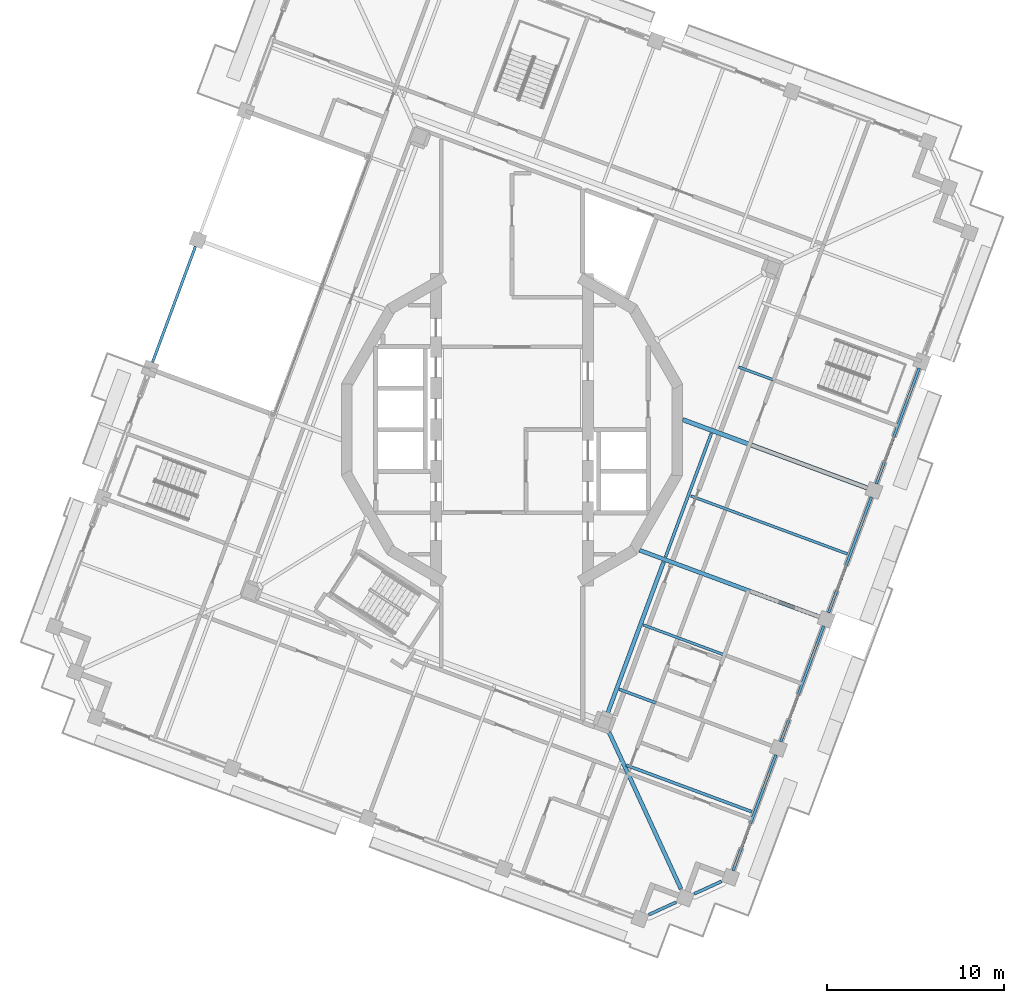
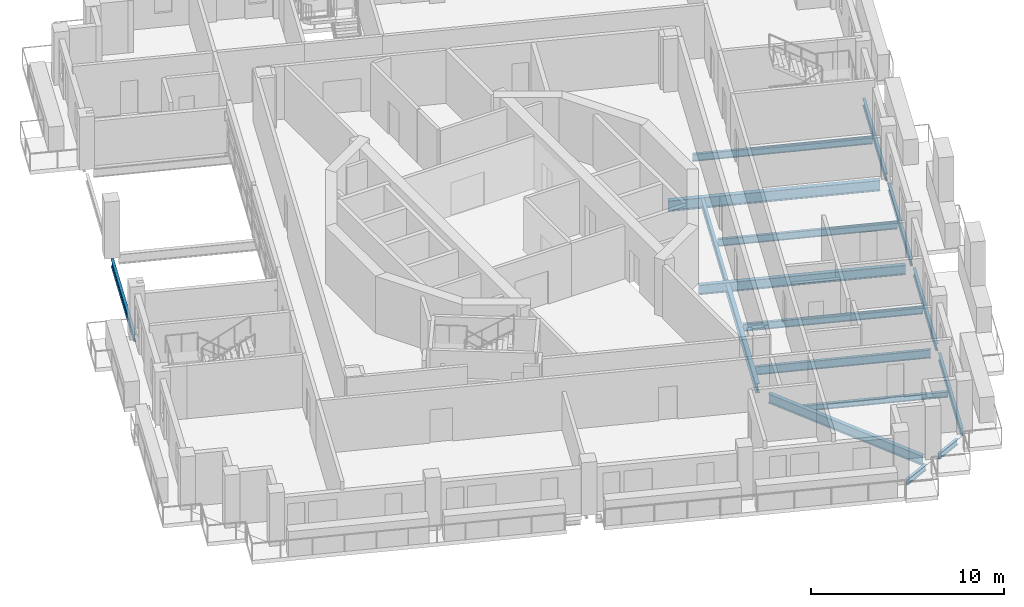
# One storey, part 3 of 20: 17 beams.
"""IFC4 building model written with IfcOpenShell, lengths in metres."""

from ifc_helpers import new_model, si_unit, direction, frame, origin, origin_2d, place, context, subcontext, project, spatial, i_section, extrude, material, material_profile, profile_set, type_object, element, save


model = new_model("IFC4")

# Units and contexts
model_context = context("Model", 3, precision=1e-05, world=origin(), true_north=direction((0.0, 1.0)))
body_context = subcontext(model_context, "Body", "Model", "MODEL_VIEW")
ifc_project = project(units=[si_unit("LENGTHUNIT", "METRE"), si_unit("AREAUNIT", "SQUARE_METRE"), si_unit("VOLUMEUNIT", "CUBIC_METRE"), si_unit("PLANEANGLEUNIT", "RADIAN"), si_unit("MASSUNIT", "GRAM", prefix="KILO")], contexts=[model_context])

# Site, building, storey
site_placement = place(None, origin())
site = spatial("IfcSite", under=ifc_project, at=site_placement, CompositionType="ELEMENT")
building_placement = place(site_placement, origin())
building = spatial("IfcBuilding", under=site, at=building_placement, Name="Cantera Rosa Tower", CompositionType="ELEMENT")
storey_placement = place(building_placement, frame((0.0, 0.0, 309.699951171875)))
storey = spatial("IfcBuildingStorey", under=building, at=storey_placement, Name="L68", CompositionType="ELEMENT", Elevation=309.699951171875)

# Beams
ifc_material_1 = material(Name="Steel ASTM A992 (Fy 345 MPa)", Category="steel")
ifc_material_profile_1 = material_profile(ifc_material_1, i_section(OverallWidth=0.166015625, OverallDepth=0.528076171875, WebThickness=0.009765625, FlangeThickness=0.013671875, FilletRadius=0.0126953125, at=origin_2d()), Name="W530X74")
ifc_profile_set_1 = profile_set([ifc_material_profile_1], Name="Steel ASTM A992 (Fy 345 MPa)")
beam_type_1 = type_object("IfcBeamType", Name="STEEL BEAM W530X74", PredefinedType="BEAM", material=ifc_profile_set_1)
beam_1_placement = place(storey_placement, frame((14.69873046875, -17.892333984375, -0.513916015625), z_axis=(-0.937688566, 0.347476838353, 0.0), x_axis=(-0.347476838353, -0.937688566, 0.0)))
element("IfcBeam", 1, at=beam_1_placement, inside=storey, type_object=beam_type_1, Name="G-Z6-08 L68", PredefinedType="BEAM", context=body_context, shape_type="SweptSolid", body=[
    extrude(i_section(OverallWidth=0.166015625, OverallDepth=0.528076171875, WebThickness=0.009765625, FlangeThickness=0.013671875, FilletRadius=0.0126953125, at=origin_2d()), origin(), (0.0, 0.0, 1.0), 9.199951171875),
])
beam_2_placement = place(storey_placement, frame((8.686767578125, -7.20751953125, -0.513916015625), z_axis=(0.347486566882, 0.937684960867, 0.0), x_axis=(-0.937684960867, 0.347486566882, 0.0)))
element("IfcBeam", 2, at=beam_2_placement, inside=storey, type_object=beam_type_1, Name="RB-Z6-05 L68", PredefinedType="BEAM", context=body_context, shape_type="SweptSolid", body=[
    extrude(i_section(OverallWidth=0.166015625, OverallDepth=0.528076171875, WebThickness=0.009765625, FlangeThickness=0.013671875, FilletRadius=0.0126953125, at=origin_2d()), origin(), (0.0, 0.0, 1.0), 7.479736328125),
])
ifc_material_2 = material(Name="Steel ASTM A992 (Fy 345 MPa)", Category="steel")
ifc_material_profile_2 = material_profile(ifc_material_2, i_section(OverallWidth=0.22802734375, OverallDepth=0.60205078125, WebThickness=0.010498046875, FlangeThickness=0.014892578125, FilletRadius=0.0126953125, at=origin_2d()), Name="W610X101")
ifc_profile_set_2 = profile_set([ifc_material_profile_2], Name="Steel ASTM A992 (Fy 345 MPa)")
beam_type_2 = type_object("IfcBeamType", Name="STEEL BEAM W610X101", PredefinedType="BEAM", material=ifc_profile_set_2)
beam_3_placement = place(storey_placement, frame((9.56396484375, -25.992919921875, -0.551025390625), z_axis=(-0.417345508131, 0.908747889595, 0.0), x_axis=(-0.908747889595, -0.417345508131, 0.0)))
element("IfcBeam", 3, at=beam_3_placement, inside=storey, type_object=beam_type_2, Name="CB-Z6-03 L68", PredefinedType="BEAM", context=body_context, shape_type="SweptSolid", body=[
    extrude(i_section(OverallWidth=0.22802734375, OverallDepth=0.60205078125, WebThickness=0.010498046875, FlangeThickness=0.014892578125, FilletRadius=0.0126953125, at=origin_2d()), origin(), (0.0, 0.0, 1.0), 9.758056640625),
])
beam_4_placement = place(storey_placement, frame((5.38232421875, -16.125, -0.551025390625), z_axis=(0.347474937304, 0.937689270465, 0.0), x_axis=(-0.937689270465, 0.347474937304, 0.0)))
element("IfcBeam", 4, at=beam_4_placement, inside=storey, type_object=beam_type_2, Name="RB-Z6-04 L68", PredefinedType="BEAM", context=body_context, shape_type="SweptSolid", body=[
    extrude(i_section(OverallWidth=0.22802734375, OverallDepth=0.60205078125, WebThickness=0.010498046875, FlangeThickness=0.014892578125, FilletRadius=0.0126953125, at=origin_2d()), origin(), (0.0, 0.0, 1.0), 9.2099609375),
])
ifc_material_3 = material(Name="Steel ASTM A992 (Fy 345 MPa)", Category="steel")
ifc_material_profile_3 = material_profile(ifc_material_3, i_section(OverallWidth=0.22900390625, OverallDepth=0.612060546875, WebThickness=0.011962890625, FlangeThickness=0.01953125, FilletRadius=0.0126953125, at=origin_2d()), Name="W610X125")
ifc_profile_set_3 = profile_set([ifc_material_profile_3], Name="Steel ASTM A992 (Fy 345 MPa)")
beam_type_3 = type_object("IfcBeamType", Name="STEEL BEAM W610X125", PredefinedType="BEAM", material=ifc_profile_set_3)
beam_5_placement = place(storey_placement, frame((17.402099609375, -10.59716796875, -0.555908203125), z_axis=(-0.937686127687, 0.347483418229, 0.0), x_axis=(-0.347483418229, -0.937686127687, 0.0)))
element("IfcBeam", 5, at=beam_5_placement, inside=storey, type_object=beam_type_3, Name="G-Z6-09 L68", PredefinedType="BEAM", context=body_context, shape_type="SweptSolid", body=[
    extrude(i_section(OverallWidth=0.22900390625, OverallDepth=0.612060546875, WebThickness=0.011962890625, FlangeThickness=0.01953125, FilletRadius=0.0126953125, at=origin_2d()), origin(), (0.0, 0.0, 1.0), 10.8642578125),
])
ifc_material_4 = material(Name="Steel ASTM A992 (Fy 345 MPa)", Category="steel")
ifc_material_profile_4 = material_profile(ifc_material_4, i_section(OverallWidth=0.25390625, OverallDepth=0.677978515625, WebThickness=0.01171875, FlangeThickness=0.016357421875, FilletRadius=0.01513671875, at=origin_2d()), Name="W690X125")
ifc_profile_set_4 = profile_set([ifc_material_profile_4], Name="Steel ASTM A992 (Fy 345 MPa)")
beam_type_4 = type_object("IfcBeamType", Name="STEEL BEAM W690X125", PredefinedType="BEAM", material=ifc_profile_set_4)
beam_6_placement = place(storey_placement, frame((20.10546875, -3.302001953125, -0.5888671875), z_axis=(-0.937687416585, 0.347479940109, 0.0), x_axis=(-0.347479940109, -0.937687416585, 0.0)))
element("IfcBeam", 6, at=beam_6_placement, inside=storey, type_object=beam_type_4, Name="G-Z6-10 L68", PredefinedType="BEAM", context=body_context, shape_type="SweptSolid", body=[
    extrude(i_section(OverallWidth=0.25390625, OverallDepth=0.677978515625, WebThickness=0.01171875, FlangeThickness=0.016357421875, FilletRadius=0.01513671875, at=origin_2d()), origin(), (0.0, 0.0, 1.0), 11.140380859375),
])
ifc_material_5 = material(Name="Steel ASTM A992 (Fy 345 MPa)", Category="steel")
ifc_material_profile_5 = material_profile(ifc_material_5, i_section(OverallWidth=0.1708984375, OverallDepth=0.35595703125, WebThickness=0.00732421875, FlangeThickness=0.01171875, FilletRadius=0.010009765625, at=origin_2d()), Name="W360X51")
ifc_profile_set_5 = profile_set([ifc_material_profile_5], Name="Steel ASTM A992 (Fy 345 MPa)")
beam_type_5 = type_object("IfcBeamType", Name="STEEL JOIST W360X51", PredefinedType="JOIST", material=ifc_profile_set_5)
beam_7_placement = place(storey_placement, frame((13.581298828125, -21.626953125, -0.427978515625), z_axis=(-0.93768239316, 0.347493495705, 0.0), x_axis=(-0.347493495705, -0.93768239316, 0.0)))
element("IfcBeam", 7, at=beam_7_placement, inside=storey, type_object=beam_type_5, Name="B-Z6-10 L68", PredefinedType="JOIST", context=body_context, shape_type="SweptSolid", body=[
    extrude(i_section(OverallWidth=0.1708984375, OverallDepth=0.35595703125, WebThickness=0.00732421875, FlangeThickness=0.01171875, FilletRadius=0.010009765625, at=origin_2d()), origin(), (0.0, 0.0, 1.0), 7.58984375),
])
ifc_material_6 = material(Name="Steel ASTM A992 (Fy 345 MPa)", Category="steel")
ifc_material_profile_6 = material_profile(ifc_material_6, i_section(OverallWidth=0.154052734375, OverallDepth=0.4599609375, WebThickness=0.009033203125, FlangeThickness=0.015380859375, FilletRadius=0.01025390625, at=origin_2d()), Name="W460X68")
ifc_profile_set_6 = profile_set([ifc_material_profile_6], Name="Steel ASTM A992 (Fy 345 MPa)")
beam_type_6 = type_object("IfcBeamType", Name="STEEL JOIST W460X68", PredefinedType="JOIST", material=ifc_profile_set_6)
beam_8_placement = place(storey_placement, frame((16.28466796875, -14.331787109375, -0.47998046875), z_axis=(-0.937686417179, 0.347482637031, 0.0), x_axis=(-0.347482637031, -0.937686417179, 0.0)))
element("IfcBeam", 8, at=beam_8_placement, inside=storey, type_object=beam_type_6, Name="B-Z6-11 L68", PredefinedType="JOIST", context=body_context, shape_type="SweptSolid", body=[
    extrude(i_section(OverallWidth=0.154052734375, OverallDepth=0.4599609375, WebThickness=0.009033203125, FlangeThickness=0.015380859375, FilletRadius=0.01025390625, at=origin_2d()), origin(), (0.0, 0.0, 1.0), 9.449951171875),
])
for number, where, z_axis, x_axis, name in (
    (9, (18.98828125, -7.036376953125, -0.47998046875), (-0.937689536508, 0.347474219364, 0.0), (-0.347474219364, -0.937689536508, 0.0), "B-Z6-12 L68"),
    (10, (21.691650390625, 0.2587890625, -0.47998046875), (-0.937689536508, 0.347474219364, 0.0), (-0.347474219364, -0.937689536508, 0.0), "B-Z6-13 L68"),
):
    element("IfcBeam", number, at=place(storey_placement, frame(where, z_axis=z_axis, x_axis=x_axis)), inside=storey, type_object=beam_type_6, Name=name, PredefinedType="JOIST", context=body_context, shape_type="SweptSolid", body=[
        extrude(i_section(OverallWidth=0.154052734375, OverallDepth=0.4599609375, WebThickness=0.009033203125, FlangeThickness=0.015380859375, FilletRadius=0.01025390625, at=origin_2d()), origin(), (0.0, 0.0, 1.0), 9.4501953125),
    ])
ifc_material_7 = material(Name="Steel ASTM A992 (Fy 345 MPa)", Category="steel")
ifc_material_profile_7 = material_profile(ifc_material_7, i_section(OverallWidth=0.1708984375, OverallDepth=0.35595703125, WebThickness=0.00732421875, FlangeThickness=0.01171875, FilletRadius=0.010009765625, at=origin_2d()), Name="W360X51")
ifc_profile_set_7 = profile_set([ifc_material_profile_7], Name="Steel ASTM A992 (Fy 345 MPa)")
beam_type_7 = type_object("IfcBeamType", Name="STEEL SPANDREL BEAM W360X51", PredefinedType="SPANDREL", material=ifc_profile_set_7)
for number, where, z_axis, x_axis, name in (
    (11, (7.74365234375, -27.451416015625, -0.427978515625), (0.908753529973, 0.417333226286, 0.0), (-0.417333226286, 0.908753529973, 0.0), "EB-Z6-18 L68"),
    (12, (10.31396484375, -26.27099609375, -0.427978515625), (0.908753529973, 0.417333226286, 0.0), (-0.417333226286, 0.908753529973, 0.0), "EB-Z6-19 L68"),
):
    element("IfcBeam", number, at=place(storey_placement, frame(where, z_axis=z_axis, x_axis=x_axis)), inside=storey, type_object=beam_type_7, Name=name, PredefinedType="SPANDREL", context=body_context, shape_type="SweptSolid", body=[
        extrude(i_section(OverallWidth=0.1708984375, OverallDepth=0.35595703125, WebThickness=0.00732421875, FlangeThickness=0.01171875, FilletRadius=0.010009765625, at=origin_2d()), origin(), (0.0, 0.0, 1.0), 1.697021484375),
    ])
ifc_material_8 = material(Name="Steel ASTM A992 (Fy 345 MPa)", Category="steel")
ifc_material_profile_8 = material_profile(ifc_material_8, i_section(OverallWidth=0.154052734375, OverallDepth=0.4599609375, WebThickness=0.009033203125, FlangeThickness=0.015380859375, FilletRadius=0.01025390625, at=origin_2d()), Name="W460X68")
ifc_profile_set_8 = profile_set([ifc_material_profile_8], Name="Steel ASTM A992 (Fy 345 MPa)")
beam_type_8 = type_object("IfcBeamType", Name="STEEL SPANDREL BEAM W460X68", PredefinedType="SPANDREL", material=ifc_profile_set_8)
beam_9_placement = place(storey_placement, frame((-17.916015625, 10.361083984375, -0.47998046875), z_axis=(-0.347502316452, -0.937679124253, 0.0), x_axis=(0.937679124253, -0.347502316452, 0.0)))
element("IfcBeam", 13, at=beam_9_placement, inside=storey, type_object=beam_type_8, Name="EB-Z6-09 L68", PredefinedType="SPANDREL", context=body_context, shape_type="SweptSolid", body=[
    extrude(i_section(OverallWidth=0.154052734375, OverallDepth=0.4599609375, WebThickness=0.009033203125, FlangeThickness=0.015380859375, FilletRadius=0.01025390625, at=origin_2d()), origin(), (0.0, 0.0, 1.0), 6.97998046875),
])
beam_10_placement = place(storey_placement, frame((12.50927734375, -24.95166015625, -0.47998046875), z_axis=(0.347490919506, 0.937683347864, 0.0), x_axis=(-0.937683347864, 0.347490919506, 0.0)))
element("IfcBeam", 14, at=beam_10_placement, inside=storey, type_object=beam_type_8, Name="EB-Z6-20 L68", PredefinedType="SPANDREL", context=body_context, shape_type="SweptSolid", body=[
    extrude(i_section(OverallWidth=0.154052734375, OverallDepth=0.4599609375, WebThickness=0.009033203125, FlangeThickness=0.015380859375, FilletRadius=0.01025390625, at=origin_2d()), origin(), (0.0, 0.0, 1.0), 6.980224609375),
])
for number, where, z_axis, x_axis, name in (
    (15, (15.212646484375, -17.65625, -0.47998046875), (0.347502316452, 0.937679124253, 0.0), (-0.937679124253, 0.347502316452, 0.0), "EB-Z6-21 L68"),
    (16, (17.916015625, -10.361083984375, -0.47998046875), (0.347502316452, 0.937679124253, 0.0), (-0.937679124253, 0.347502316452, 0.0), "EB-Z6-22 L68"),
):
    element("IfcBeam", number, at=place(storey_placement, frame(where, z_axis=z_axis, x_axis=x_axis)), inside=storey, type_object=beam_type_8, Name=name, PredefinedType="SPANDREL", context=body_context, shape_type="SweptSolid", body=[
        extrude(i_section(OverallWidth=0.154052734375, OverallDepth=0.4599609375, WebThickness=0.009033203125, FlangeThickness=0.015380859375, FilletRadius=0.01025390625, at=origin_2d()), origin(), (0.0, 0.0, 1.0), 6.97998046875),
    ])
beam_11_placement = place(storey_placement, frame((20.61962890625, -3.06591796875, -0.47998046875), z_axis=(0.347471562124, 0.937690521182, 0.0), x_axis=(-0.937690521182, 0.347471562124, 0.0)))
element("IfcBeam", 17, at=beam_11_placement, inside=storey, type_object=beam_type_8, Name="EB-Z6-23 L68", PredefinedType="SPANDREL", context=body_context, shape_type="SweptSolid", body=[
    extrude(i_section(OverallWidth=0.154052734375, OverallDepth=0.4599609375, WebThickness=0.009033203125, FlangeThickness=0.015380859375, FilletRadius=0.01025390625, at=origin_2d()), origin(), (0.0, 0.0, 1.0), 6.979736328125),
])

save(model, "model.ifc")
